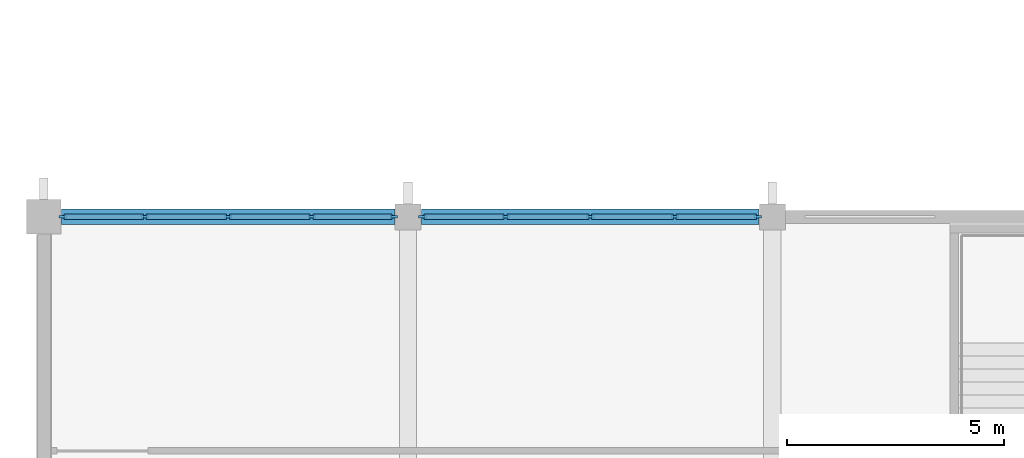
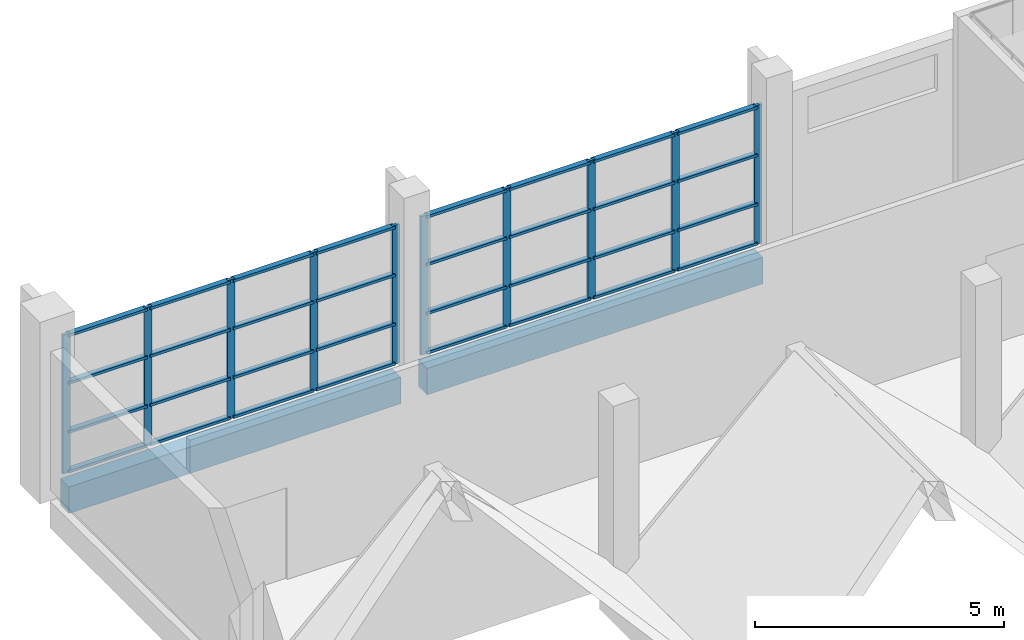
# One storey, part 2 of 56: 42 members, 2 beams, 2 elements without a shape of their own.
"""IFC4 building model written with IfcOpenShell, lengths in metres."""

from ifc_helpers import new_model, si_unit, direction, frame, origin, origin_2d, place, context, subcontext, project, spatial, rectangle, extrude, material, layer, layer_set, material_profile, profile_set, type_object, element, aggregate, save


model = new_model("IFC4")

# Units and contexts
model_context = context("Model", 3, precision=1e-05, world=origin(), true_north=direction((0.0, 1.0)))
body_context = subcontext(model_context, "Body", "Model", "MODEL_VIEW")
ifc_project = project(units=[si_unit("LENGTHUNIT", "METRE"), si_unit("AREAUNIT", "SQUARE_METRE"), si_unit("VOLUMEUNIT", "CUBIC_METRE"), si_unit("PLANEANGLEUNIT", "RADIAN"), si_unit("MASSUNIT", "GRAM", prefix="KILO")], contexts=[model_context])

# Site, building, storey
site_placement = place(None, origin())
site = spatial("IfcSite", under=ifc_project, at=site_placement, CompositionType="ELEMENT")
building_placement = place(site_placement, origin())
building = spatial("IfcBuilding", under=site, at=building_placement, Name="Rulbaag Community and Learning Centre", CompositionType="ELEMENT")
storey_placement = place(building_placement, frame((0.0, 0.0, 9.89990234375)))
storey = spatial("IfcBuildingStorey", under=building, at=storey_placement, Name="L02", CompositionType="ELEMENT", Elevation=9.89990234375)

# Beams
ifc_material_1 = material(Name="Concrete M40", Category="concrete")
ifc_material_profile_1 = material_profile(ifc_material_1, rectangle(XDim=0.35009765625, YDim=0.64990234375, at=origin_2d()), Name="RB350x650")
ifc_profile_set_1 = profile_set([ifc_material_profile_1], Name="Concrete M40")
beam_type = type_object("IfcBeamType", Name="B8 Hall wing edge beam 350x650 Concrete M40", PredefinedType="BEAM", material=ifc_profile_set_1)
beam_1_placement = place(storey_placement, frame((0.405029296875, 50.39990234375, -0.574951171875), z_axis=(1.0, 0.0, 0.0), x_axis=(0.0, 1.0, 0.0)))
element("IfcBeam", 1, at=beam_1_placement, inside=storey, type_object=beam_type, Name="BM-L02-1G-2G", PredefinedType="BEAM", context=body_context, shape_type="SweptSolid", body=[
    extrude(rectangle(XDim=0.35009765625, YDim=0.64990234375, at=origin_2d()), origin(), (0.0, 0.0, 1.0), 7.68994140625),
])
beam_2_placement = place(storey_placement, frame((8.705078125, 50.39990234375, -0.574951171875), z_axis=(1.0, 0.0, 0.0), x_axis=(0.0, 1.0, 0.0)))
element("IfcBeam", 2, at=beam_2_placement, inside=storey, type_object=beam_type, Name="BM-L02-2G-3G", PredefinedType="BEAM", context=body_context, shape_type="SweptSolid", body=[
    extrude(rectangle(XDim=0.35009765625, YDim=0.64990234375, at=origin_2d()), origin(), (0.0, 0.0, 1.0), 7.7900390625),
])

# Curtain wall, members
ifc_material_2 = material(Name="Aluminium", Category="aluminium")
ifc_layer = layer(ifc_material_2, 0.14990234375)
ifc_layer_set = layer_set([ifc_layer], Name="CW-L")
curtain_wall_type = type_object("IfcCurtainWallType", Name="CW-L", PredefinedType="USERDEFINED", material=ifc_layer_set)
curtain_wall_1_placement = place(storey_placement, origin())
curtain_wall_1 = element("IfcCurtainWall", 3, at=curtain_wall_1_placement, inside=storey, type_object=curtain_wall_type, Name="GL-L02-01", ObjectType="STICK CURTAIN WALL", PredefinedType="USERDEFINED")
ifc_material_3 = material(Name="Aluminium mullion", Category="aluminium")
ifc_material_profile_2 = material_profile(ifc_material_3, rectangle(XDim=0.06494140625, YDim=0.175048828125, at=origin_2d()), Name="AL 65x175")
ifc_profile_set_2 = profile_set([ifc_material_profile_2], Name="Aluminium mullion")
member_type_1 = type_object("IfcMemberType", Name="CW-L-MUL", PredefinedType="MULLION", material=ifc_profile_set_2)
member_1_placement = place(storey_placement, frame((0.4326171875, 50.39990234375, 0.0), z_axis=(0.0, 0.0, 1.0), x_axis=(0.0, 1.0, 0.0)))
member_1 = element("IfcMember", 4, at=member_1_placement, type_object=member_type_1, Name="GL mullion 1", PredefinedType="MULLION", context=body_context, shape_type="SweptSolid", body=[
    extrude(rectangle(XDim=0.06494140625, YDim=0.175048828125, at=origin_2d()), origin(), (0.0, 0.0, 1.0), 3.400146484375),
])
member_2_placement = place(storey_placement, frame((2.324951171875, 50.39990234375, 0.0), z_axis=(0.0, 0.0, 1.0), x_axis=(0.0, 1.0, 0.0)))
member_2 = element("IfcMember", 5, at=member_2_placement, type_object=member_type_1, Name="GL mullion 2", PredefinedType="MULLION", context=body_context, shape_type="SweptSolid", body=[
    extrude(rectangle(XDim=0.06494140625, YDim=0.175048828125, at=origin_2d()), origin(), (0.0, 0.0, 1.0), 3.400146484375),
])
member_3_placement = place(storey_placement, frame((4.25, 50.39990234375, 0.0), z_axis=(0.0, 0.0, 1.0), x_axis=(0.0, 1.0, 0.0)))
member_3 = element("IfcMember", 6, at=member_3_placement, type_object=member_type_1, Name="GL mullion 3", PredefinedType="MULLION", context=body_context, shape_type="SweptSolid", body=[
    extrude(rectangle(XDim=0.06494140625, YDim=0.175048828125, at=origin_2d()), origin(), (0.0, 0.0, 1.0), 3.400146484375),
])
member_4_placement = place(storey_placement, frame((6.175048828125, 50.39990234375, 0.0), z_axis=(0.0, 0.0, 1.0), x_axis=(0.0, 1.0, 0.0)))
member_4 = element("IfcMember", 7, at=member_4_placement, type_object=member_type_1, Name="GL mullion 4", PredefinedType="MULLION", context=body_context, shape_type="SweptSolid", body=[
    extrude(rectangle(XDim=0.06494140625, YDim=0.175048828125, at=origin_2d()), origin(), (0.0, 0.0, 1.0), 3.400146484375),
])
member_5_placement = place(storey_placement, frame((8.0673828125, 50.39990234375, 0.0), z_axis=(0.0, 0.0, 1.0), x_axis=(0.0, 1.0, 0.0)))
member_5 = element("IfcMember", 8, at=member_5_placement, type_object=member_type_1, Name="GL mullion 5", PredefinedType="MULLION", context=body_context, shape_type="SweptSolid", body=[
    extrude(rectangle(XDim=0.06494140625, YDim=0.175048828125, at=origin_2d()), origin(), (0.0, 0.0, 1.0), 3.400146484375),
])

curtain_wall_2_placement = place(storey_placement, origin())
curtain_wall_2 = element("IfcCurtainWall", 9, at=curtain_wall_2_placement, inside=storey, type_object=curtain_wall_type, Name="GL-L02-02", ObjectType="STICK CURTAIN WALL", PredefinedType="USERDEFINED")
member_6_placement = place(storey_placement, frame((8.732421875, 50.39990234375, 0.0), z_axis=(0.0, 0.0, 1.0), x_axis=(0.0, 1.0, 0.0)))
member_6 = element("IfcMember", 10, at=member_6_placement, type_object=member_type_1, Name="GL mullion 1", PredefinedType="MULLION", context=body_context, shape_type="SweptSolid", body=[
    extrude(rectangle(XDim=0.06494140625, YDim=0.175048828125, at=origin_2d()), origin(), (0.0, 0.0, 1.0), 3.400146484375),
])
member_7_placement = place(storey_placement, frame((10.64990234375, 50.39990234375, 0.0), z_axis=(0.0, 0.0, 1.0), x_axis=(0.0, 1.0, 0.0)))
member_7 = element("IfcMember", 11, at=member_7_placement, type_object=member_type_1, Name="GL mullion 2", PredefinedType="MULLION", context=body_context, shape_type="SweptSolid", body=[
    extrude(rectangle(XDim=0.06494140625, YDim=0.175048828125, at=origin_2d()), origin(), (0.0, 0.0, 1.0), 3.400146484375),
])
member_8_placement = place(storey_placement, frame((12.60009765625, 50.39990234375, 0.0), z_axis=(0.0, 0.0, 1.0), x_axis=(0.0, 1.0, 0.0)))
member_8 = element("IfcMember", 12, at=member_8_placement, type_object=member_type_1, Name="GL mullion 3", PredefinedType="MULLION", context=body_context, shape_type="SweptSolid", body=[
    extrude(rectangle(XDim=0.06494140625, YDim=0.175048828125, at=origin_2d()), origin(), (0.0, 0.0, 1.0), 3.400146484375),
])
member_9_placement = place(storey_placement, frame((14.550048828125, 50.39990234375, 0.0), z_axis=(0.0, 0.0, 1.0), x_axis=(0.0, 1.0, 0.0)))
member_9 = element("IfcMember", 13, at=member_9_placement, type_object=member_type_1, Name="GL mullion 4", PredefinedType="MULLION", context=body_context, shape_type="SweptSolid", body=[
    extrude(rectangle(XDim=0.06494140625, YDim=0.175048828125, at=origin_2d()), origin(), (0.0, 0.0, 1.0), 3.400146484375),
])
member_10_placement = place(storey_placement, frame((16.467529296875, 50.39990234375, 0.0), z_axis=(0.0, 0.0, 1.0), x_axis=(0.0, 1.0, 0.0)))
member_10 = element("IfcMember", 14, at=member_10_placement, type_object=member_type_1, Name="GL mullion 5", PredefinedType="MULLION", context=body_context, shape_type="SweptSolid", body=[
    extrude(rectangle(XDim=0.06494140625, YDim=0.175048828125, at=origin_2d()), origin(), (0.0, 0.0, 1.0), 3.400146484375),
])

# Member
ifc_material_4 = material(Name="Aluminium transom", Category="aluminium")
ifc_material_profile_3 = material_profile(ifc_material_4, rectangle(XDim=0.125, YDim=0.06494140625, at=origin_2d()), Name="AL 65x125 T")
ifc_profile_set_3 = profile_set([ifc_material_profile_3], Name="Aluminium transom")
member_type_2 = type_object("IfcMemberType", Name="CW-L-TRN", PredefinedType="USERDEFINED", material=ifc_profile_set_3)
member_11_placement = place(storey_placement, frame((0.465087890625, 50.39990234375, 0.03271484375), z_axis=(1.0, 0.0, 0.0), x_axis=(0.0, 1.0, 0.0)))
member_11 = element("IfcMember", 15, at=member_11_placement, type_object=member_type_2, Name="GL transom 1.1", ObjectType="TRANSOM", PredefinedType="USERDEFINED", context=body_context, shape_type="SweptSolid", body=[
    extrude(rectangle(XDim=0.125, YDim=0.06494140625, at=origin_2d()), origin(), (0.0, 0.0, 1.0), 1.827392578125),
])

member_12_placement = place(storey_placement, frame((0.465087890625, 50.39990234375, 1.0), z_axis=(1.0, 0.0, 0.0), x_axis=(0.0, 1.0, 0.0)))
member_12 = element("IfcMember", 16, at=member_12_placement, type_object=member_type_2, Name="GL transom 1.2", ObjectType="TRANSOM", PredefinedType="USERDEFINED", context=body_context, shape_type="SweptSolid", body=[
    extrude(rectangle(XDim=0.125, YDim=0.06494140625, at=origin_2d()), origin(), (0.0, 0.0, 1.0), 1.827392578125),
])

member_13_placement = place(storey_placement, frame((0.465087890625, 50.39990234375, 2.2001953125), z_axis=(1.0, 0.0, 0.0), x_axis=(0.0, 1.0, 0.0)))
member_13 = element("IfcMember", 17, at=member_13_placement, type_object=member_type_2, Name="GL transom 1.3", ObjectType="TRANSOM", PredefinedType="USERDEFINED", context=body_context, shape_type="SweptSolid", body=[
    extrude(rectangle(XDim=0.125, YDim=0.06494140625, at=origin_2d()), origin(), (0.0, 0.0, 1.0), 1.827392578125),
])

member_14_placement = place(storey_placement, frame((0.465087890625, 50.39990234375, 3.36767578125), z_axis=(1.0, 0.0, 0.0), x_axis=(0.0, 1.0, 0.0)))
member_14 = element("IfcMember", 18, at=member_14_placement, type_object=member_type_2, Name="GL transom 1.4", ObjectType="TRANSOM", PredefinedType="USERDEFINED", context=body_context, shape_type="SweptSolid", body=[
    extrude(rectangle(XDim=0.125, YDim=0.06494140625, at=origin_2d()), origin(), (0.0, 0.0, 1.0), 1.827392578125),
])

member_15_placement = place(storey_placement, frame((2.357421875, 50.39990234375, 0.03271484375), z_axis=(1.0, 0.0, 0.0), x_axis=(0.0, 1.0, 0.0)))
member_15 = element("IfcMember", 19, at=member_15_placement, type_object=member_type_2, Name="GL transom 2.1", ObjectType="TRANSOM", PredefinedType="USERDEFINED", context=body_context, shape_type="SweptSolid", body=[
    extrude(rectangle(XDim=0.125, YDim=0.06494140625, at=origin_2d()), origin(), (0.0, 0.0, 1.0), 1.860107421875),
])

member_16_placement = place(storey_placement, frame((2.357421875, 50.39990234375, 1.0), z_axis=(1.0, 0.0, 0.0), x_axis=(0.0, 1.0, 0.0)))
member_16 = element("IfcMember", 20, at=member_16_placement, type_object=member_type_2, Name="GL transom 2.2", ObjectType="TRANSOM", PredefinedType="USERDEFINED", context=body_context, shape_type="SweptSolid", body=[
    extrude(rectangle(XDim=0.125, YDim=0.06494140625, at=origin_2d()), origin(), (0.0, 0.0, 1.0), 1.860107421875),
])

member_17_placement = place(storey_placement, frame((2.357421875, 50.39990234375, 2.2001953125), z_axis=(1.0, 0.0, 0.0), x_axis=(0.0, 1.0, 0.0)))
member_17 = element("IfcMember", 21, at=member_17_placement, type_object=member_type_2, Name="GL transom 2.3", ObjectType="TRANSOM", PredefinedType="USERDEFINED", context=body_context, shape_type="SweptSolid", body=[
    extrude(rectangle(XDim=0.125, YDim=0.06494140625, at=origin_2d()), origin(), (0.0, 0.0, 1.0), 1.860107421875),
])

member_18_placement = place(storey_placement, frame((2.357421875, 50.39990234375, 3.36767578125), z_axis=(1.0, 0.0, 0.0), x_axis=(0.0, 1.0, 0.0)))
member_18 = element("IfcMember", 22, at=member_18_placement, type_object=member_type_2, Name="GL transom 2.4", ObjectType="TRANSOM", PredefinedType="USERDEFINED", context=body_context, shape_type="SweptSolid", body=[
    extrude(rectangle(XDim=0.125, YDim=0.06494140625, at=origin_2d()), origin(), (0.0, 0.0, 1.0), 1.860107421875),
])

member_19_placement = place(storey_placement, frame((4.282470703125, 50.39990234375, 0.03271484375), z_axis=(1.0, 0.0, 0.0), x_axis=(0.0, 1.0, 0.0)))
member_19 = element("IfcMember", 23, at=member_19_placement, type_object=member_type_2, Name="GL transom 3.1", ObjectType="TRANSOM", PredefinedType="USERDEFINED", context=body_context, shape_type="SweptSolid", body=[
    extrude(rectangle(XDim=0.125, YDim=0.06494140625, at=origin_2d()), origin(), (0.0, 0.0, 1.0), 1.860107421875),
])

member_20_placement = place(storey_placement, frame((4.282470703125, 50.39990234375, 1.0), z_axis=(1.0, 0.0, 0.0), x_axis=(0.0, 1.0, 0.0)))
member_20 = element("IfcMember", 24, at=member_20_placement, type_object=member_type_2, Name="GL transom 3.2", ObjectType="TRANSOM", PredefinedType="USERDEFINED", context=body_context, shape_type="SweptSolid", body=[
    extrude(rectangle(XDim=0.125, YDim=0.06494140625, at=origin_2d()), origin(), (0.0, 0.0, 1.0), 1.860107421875),
])

member_21_placement = place(storey_placement, frame((4.282470703125, 50.39990234375, 2.2001953125), z_axis=(1.0, 0.0, 0.0), x_axis=(0.0, 1.0, 0.0)))
member_21 = element("IfcMember", 25, at=member_21_placement, type_object=member_type_2, Name="GL transom 3.3", ObjectType="TRANSOM", PredefinedType="USERDEFINED", context=body_context, shape_type="SweptSolid", body=[
    extrude(rectangle(XDim=0.125, YDim=0.06494140625, at=origin_2d()), origin(), (0.0, 0.0, 1.0), 1.860107421875),
])

member_22_placement = place(storey_placement, frame((4.282470703125, 50.39990234375, 3.36767578125), z_axis=(1.0, 0.0, 0.0), x_axis=(0.0, 1.0, 0.0)))
member_22 = element("IfcMember", 26, at=member_22_placement, type_object=member_type_2, Name="GL transom 3.4", ObjectType="TRANSOM", PredefinedType="USERDEFINED", context=body_context, shape_type="SweptSolid", body=[
    extrude(rectangle(XDim=0.125, YDim=0.06494140625, at=origin_2d()), origin(), (0.0, 0.0, 1.0), 1.860107421875),
])

member_23_placement = place(storey_placement, frame((6.20751953125, 50.39990234375, 0.03271484375), z_axis=(1.0, 0.0, 0.0), x_axis=(0.0, 1.0, 0.0)))
member_23 = element("IfcMember", 27, at=member_23_placement, type_object=member_type_2, Name="GL transom 4.1", ObjectType="TRANSOM", PredefinedType="USERDEFINED", context=body_context, shape_type="SweptSolid", body=[
    extrude(rectangle(XDim=0.125, YDim=0.06494140625, at=origin_2d()), origin(), (0.0, 0.0, 1.0), 1.827392578125),
])

member_24_placement = place(storey_placement, frame((6.20751953125, 50.39990234375, 1.0), z_axis=(1.0, 0.0, 0.0), x_axis=(0.0, 1.0, 0.0)))
member_24 = element("IfcMember", 28, at=member_24_placement, type_object=member_type_2, Name="GL transom 4.2", ObjectType="TRANSOM", PredefinedType="USERDEFINED", context=body_context, shape_type="SweptSolid", body=[
    extrude(rectangle(XDim=0.125, YDim=0.06494140625, at=origin_2d()), origin(), (0.0, 0.0, 1.0), 1.827392578125),
])

member_25_placement = place(storey_placement, frame((6.20751953125, 50.39990234375, 2.2001953125), z_axis=(1.0, 0.0, 0.0), x_axis=(0.0, 1.0, 0.0)))
member_25 = element("IfcMember", 29, at=member_25_placement, type_object=member_type_2, Name="GL transom 4.3", ObjectType="TRANSOM", PredefinedType="USERDEFINED", context=body_context, shape_type="SweptSolid", body=[
    extrude(rectangle(XDim=0.125, YDim=0.06494140625, at=origin_2d()), origin(), (0.0, 0.0, 1.0), 1.827392578125),
])

member_26_placement = place(storey_placement, frame((6.20751953125, 50.39990234375, 3.36767578125), z_axis=(1.0, 0.0, 0.0), x_axis=(0.0, 1.0, 0.0)))
member_26 = element("IfcMember", 30, at=member_26_placement, type_object=member_type_2, Name="GL transom 4.4", ObjectType="TRANSOM", PredefinedType="USERDEFINED", context=body_context, shape_type="SweptSolid", body=[
    extrude(rectangle(XDim=0.125, YDim=0.06494140625, at=origin_2d()), origin(), (0.0, 0.0, 1.0), 1.827392578125),
])

aggregate(curtain_wall_1, [member_1, member_2, member_3, member_4, member_5, member_11, member_12, member_13, member_14, member_15, member_16, member_17, member_18, member_19, member_20, member_21, member_22, member_23, member_24, member_25, member_26])

member_27_placement = place(storey_placement, frame((8.764892578125, 50.39990234375, 0.03271484375), z_axis=(1.0, 0.0, 0.0), x_axis=(0.0, 1.0, 0.0)))
member_27 = element("IfcMember", 31, at=member_27_placement, type_object=member_type_2, Name="GL transom 1.1", ObjectType="TRANSOM", PredefinedType="USERDEFINED", context=body_context, shape_type="SweptSolid", body=[
    extrude(rectangle(XDim=0.125, YDim=0.06494140625, at=origin_2d()), origin(), (0.0, 0.0, 1.0), 1.8525390625),
])

member_28_placement = place(storey_placement, frame((8.764892578125, 50.39990234375, 1.0), z_axis=(1.0, 0.0, 0.0), x_axis=(0.0, 1.0, 0.0)))
member_28 = element("IfcMember", 32, at=member_28_placement, type_object=member_type_2, Name="GL transom 1.2", ObjectType="TRANSOM", PredefinedType="USERDEFINED", context=body_context, shape_type="SweptSolid", body=[
    extrude(rectangle(XDim=0.125, YDim=0.06494140625, at=origin_2d()), origin(), (0.0, 0.0, 1.0), 1.8525390625),
])

member_29_placement = place(storey_placement, frame((8.764892578125, 50.39990234375, 2.2001953125), z_axis=(1.0, 0.0, 0.0), x_axis=(0.0, 1.0, 0.0)))
member_29 = element("IfcMember", 33, at=member_29_placement, type_object=member_type_2, Name="GL transom 1.3", ObjectType="TRANSOM", PredefinedType="USERDEFINED", context=body_context, shape_type="SweptSolid", body=[
    extrude(rectangle(XDim=0.125, YDim=0.06494140625, at=origin_2d()), origin(), (0.0, 0.0, 1.0), 1.8525390625),
])

member_30_placement = place(storey_placement, frame((8.764892578125, 50.39990234375, 3.36767578125), z_axis=(1.0, 0.0, 0.0), x_axis=(0.0, 1.0, 0.0)))
member_30 = element("IfcMember", 34, at=member_30_placement, type_object=member_type_2, Name="GL transom 1.4", ObjectType="TRANSOM", PredefinedType="USERDEFINED", context=body_context, shape_type="SweptSolid", body=[
    extrude(rectangle(XDim=0.125, YDim=0.06494140625, at=origin_2d()), origin(), (0.0, 0.0, 1.0), 1.8525390625),
])

member_31_placement = place(storey_placement, frame((10.6826171875, 50.39990234375, 0.03271484375), z_axis=(1.0, 0.0, 0.0), x_axis=(0.0, 1.0, 0.0)))
member_31 = element("IfcMember", 35, at=member_31_placement, type_object=member_type_2, Name="GL transom 2.1", ObjectType="TRANSOM", PredefinedType="USERDEFINED", context=body_context, shape_type="SweptSolid", body=[
    extrude(rectangle(XDim=0.125, YDim=0.06494140625, at=origin_2d()), origin(), (0.0, 0.0, 1.0), 1.884765625),
])

member_32_placement = place(storey_placement, frame((10.6826171875, 50.39990234375, 1.0), z_axis=(1.0, 0.0, 0.0), x_axis=(0.0, 1.0, 0.0)))
member_32 = element("IfcMember", 36, at=member_32_placement, type_object=member_type_2, Name="GL transom 2.2", ObjectType="TRANSOM", PredefinedType="USERDEFINED", context=body_context, shape_type="SweptSolid", body=[
    extrude(rectangle(XDim=0.125, YDim=0.06494140625, at=origin_2d()), origin(), (0.0, 0.0, 1.0), 1.884765625),
])

member_33_placement = place(storey_placement, frame((10.6826171875, 50.39990234375, 2.2001953125), z_axis=(1.0, 0.0, 0.0), x_axis=(0.0, 1.0, 0.0)))
member_33 = element("IfcMember", 37, at=member_33_placement, type_object=member_type_2, Name="GL transom 2.3", ObjectType="TRANSOM", PredefinedType="USERDEFINED", context=body_context, shape_type="SweptSolid", body=[
    extrude(rectangle(XDim=0.125, YDim=0.06494140625, at=origin_2d()), origin(), (0.0, 0.0, 1.0), 1.884765625),
])

member_34_placement = place(storey_placement, frame((10.6826171875, 50.39990234375, 3.36767578125), z_axis=(1.0, 0.0, 0.0), x_axis=(0.0, 1.0, 0.0)))
member_34 = element("IfcMember", 38, at=member_34_placement, type_object=member_type_2, Name="GL transom 2.4", ObjectType="TRANSOM", PredefinedType="USERDEFINED", context=body_context, shape_type="SweptSolid", body=[
    extrude(rectangle(XDim=0.125, YDim=0.06494140625, at=origin_2d()), origin(), (0.0, 0.0, 1.0), 1.884765625),
])

member_35_placement = place(storey_placement, frame((12.632568359375, 50.39990234375, 0.03271484375), z_axis=(1.0, 0.0, 0.0), x_axis=(0.0, 1.0, 0.0)))
member_35 = element("IfcMember", 39, at=member_35_placement, type_object=member_type_2, Name="GL transom 3.1", ObjectType="TRANSOM", PredefinedType="USERDEFINED", context=body_context, shape_type="SweptSolid", body=[
    extrude(rectangle(XDim=0.125, YDim=0.06494140625, at=origin_2d()), origin(), (0.0, 0.0, 1.0), 1.885009765625),
])

member_36_placement = place(storey_placement, frame((12.632568359375, 50.39990234375, 1.0), z_axis=(1.0, 0.0, 0.0), x_axis=(0.0, 1.0, 0.0)))
member_36 = element("IfcMember", 40, at=member_36_placement, type_object=member_type_2, Name="GL transom 3.2", ObjectType="TRANSOM", PredefinedType="USERDEFINED", context=body_context, shape_type="SweptSolid", body=[
    extrude(rectangle(XDim=0.125, YDim=0.06494140625, at=origin_2d()), origin(), (0.0, 0.0, 1.0), 1.885009765625),
])

member_37_placement = place(storey_placement, frame((12.632568359375, 50.39990234375, 2.2001953125), z_axis=(1.0, 0.0, 0.0), x_axis=(0.0, 1.0, 0.0)))
member_37 = element("IfcMember", 41, at=member_37_placement, type_object=member_type_2, Name="GL transom 3.3", ObjectType="TRANSOM", PredefinedType="USERDEFINED", context=body_context, shape_type="SweptSolid", body=[
    extrude(rectangle(XDim=0.125, YDim=0.06494140625, at=origin_2d()), origin(), (0.0, 0.0, 1.0), 1.885009765625),
])

member_38_placement = place(storey_placement, frame((12.632568359375, 50.39990234375, 3.36767578125), z_axis=(1.0, 0.0, 0.0), x_axis=(0.0, 1.0, 0.0)))
member_38 = element("IfcMember", 42, at=member_38_placement, type_object=member_type_2, Name="GL transom 3.4", ObjectType="TRANSOM", PredefinedType="USERDEFINED", context=body_context, shape_type="SweptSolid", body=[
    extrude(rectangle(XDim=0.125, YDim=0.06494140625, at=origin_2d()), origin(), (0.0, 0.0, 1.0), 1.885009765625),
])

member_39_placement = place(storey_placement, frame((14.58251953125, 50.39990234375, 0.03271484375), z_axis=(1.0, 0.0, 0.0), x_axis=(0.0, 1.0, 0.0)))
member_39 = element("IfcMember", 43, at=member_39_placement, type_object=member_type_2, Name="GL transom 4.1", ObjectType="TRANSOM", PredefinedType="USERDEFINED", context=body_context, shape_type="SweptSolid", body=[
    extrude(rectangle(XDim=0.125, YDim=0.06494140625, at=origin_2d()), origin(), (0.0, 0.0, 1.0), 1.8525390625),
])

member_40_placement = place(storey_placement, frame((14.58251953125, 50.39990234375, 1.0), z_axis=(1.0, 0.0, 0.0), x_axis=(0.0, 1.0, 0.0)))
member_40 = element("IfcMember", 44, at=member_40_placement, type_object=member_type_2, Name="GL transom 4.2", ObjectType="TRANSOM", PredefinedType="USERDEFINED", context=body_context, shape_type="SweptSolid", body=[
    extrude(rectangle(XDim=0.125, YDim=0.06494140625, at=origin_2d()), origin(), (0.0, 0.0, 1.0), 1.8525390625),
])

member_41_placement = place(storey_placement, frame((14.58251953125, 50.39990234375, 2.2001953125), z_axis=(1.0, 0.0, 0.0), x_axis=(0.0, 1.0, 0.0)))
member_41 = element("IfcMember", 45, at=member_41_placement, type_object=member_type_2, Name="GL transom 4.3", ObjectType="TRANSOM", PredefinedType="USERDEFINED", context=body_context, shape_type="SweptSolid", body=[
    extrude(rectangle(XDim=0.125, YDim=0.06494140625, at=origin_2d()), origin(), (0.0, 0.0, 1.0), 1.8525390625),
])

member_42_placement = place(storey_placement, frame((14.58251953125, 50.39990234375, 3.36767578125), z_axis=(1.0, 0.0, 0.0), x_axis=(0.0, 1.0, 0.0)))
member_42 = element("IfcMember", 46, at=member_42_placement, type_object=member_type_2, Name="GL transom 4.4", ObjectType="TRANSOM", PredefinedType="USERDEFINED", context=body_context, shape_type="SweptSolid", body=[
    extrude(rectangle(XDim=0.125, YDim=0.06494140625, at=origin_2d()), origin(), (0.0, 0.0, 1.0), 1.8525390625),
])

aggregate(curtain_wall_2, [member_6, member_7, member_8, member_9, member_10, member_27, member_28, member_29, member_30, member_31, member_32, member_33, member_34, member_35, member_36, member_37, member_38, member_39, member_40, member_41, member_42])

save(model, "model.ifc")
